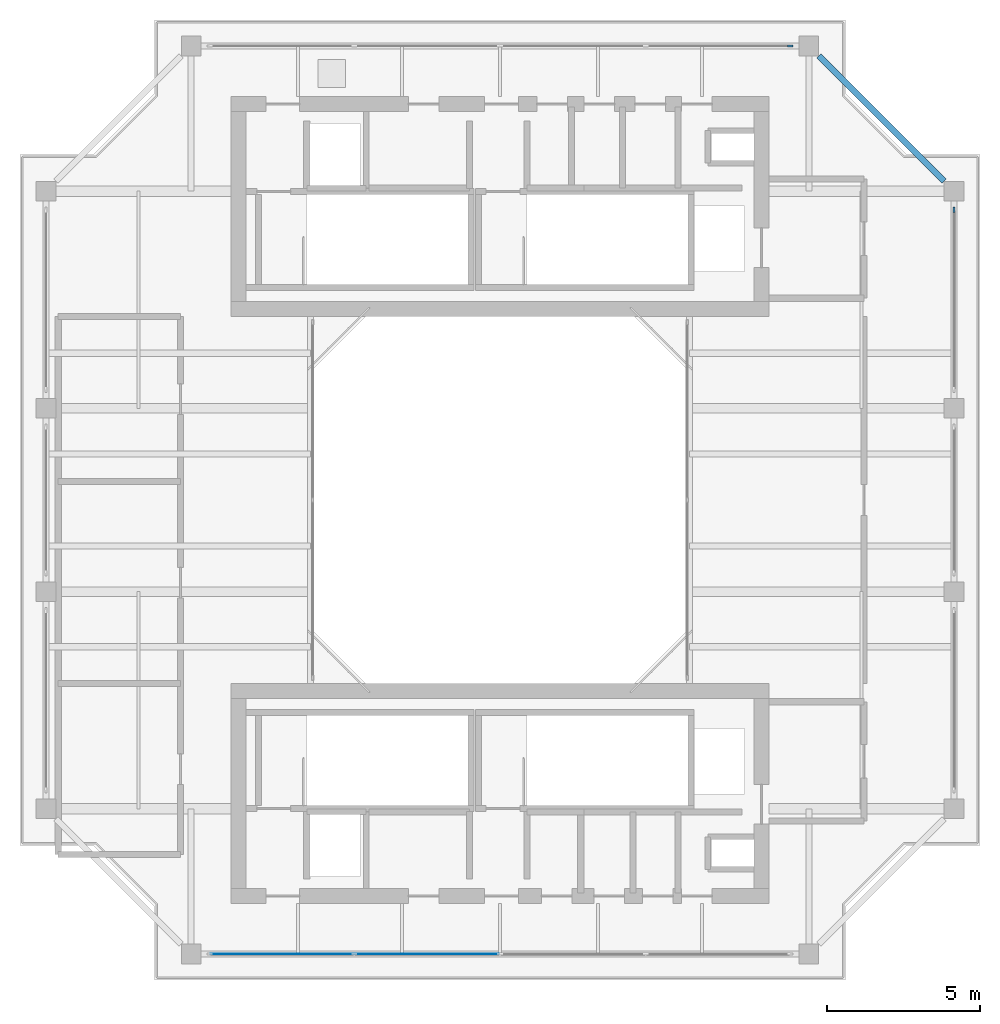
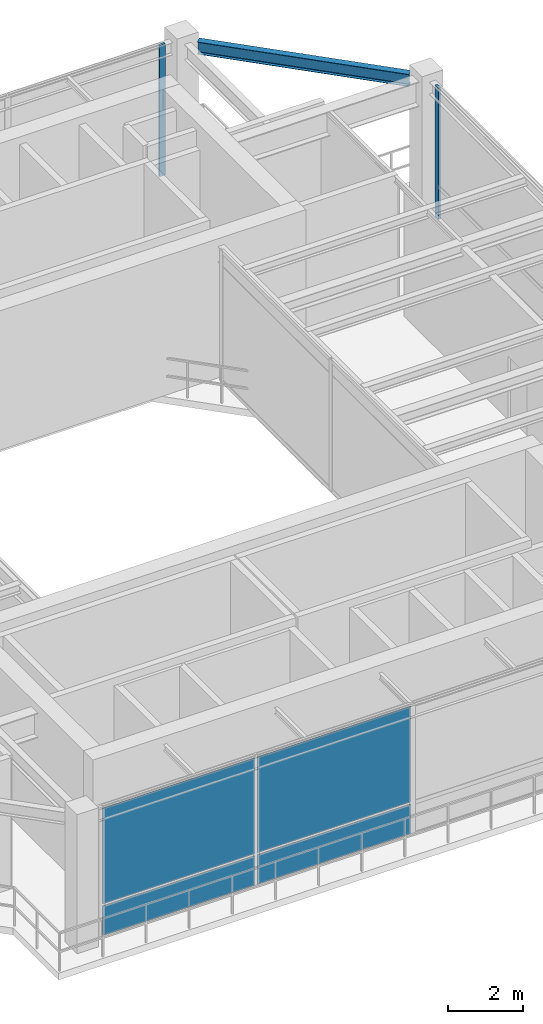
# One storey, part 5 of 9: 4 plates, 2 members, 1 beam, 3 elements without a shape of their own.
"""IFC4 building model written with IfcOpenShell, lengths in metres."""

from ifc_helpers import new_model, si_unit, direction, frame, origin, origin_2d, place, context, subcontext, project, spatial, rectangle, i_section, extrude, source, transform, mapped, material, layer, layer_set, material_profile, profile_set, type_object, element, aggregate, save


model = new_model("IFC4")

# Units and contexts
model_context = context("Model", 3, precision=1e-05, world=origin(), true_north=direction((0.0, 1.0)))
body_context = subcontext(model_context, "Body", "Model", "MODEL_VIEW")
ifc_project = project(units=[si_unit("LENGTHUNIT", "METRE"), si_unit("AREAUNIT", "SQUARE_METRE"), si_unit("VOLUMEUNIT", "CUBIC_METRE"), si_unit("PLANEANGLEUNIT", "RADIAN"), si_unit("MASSUNIT", "GRAM", prefix="KILO"), si_unit("THERMODYNAMICTEMPERATUREUNIT", "KELVIN"), si_unit("POWERUNIT", "WATT")], contexts=[model_context])

# Site, building, storey
site_placement = place(None, origin())
site = spatial("IfcSite", under=ifc_project, at=site_placement, CompositionType="ELEMENT")
building_placement = place(site_placement, origin())
building = spatial("IfcBuilding", under=site, at=building_placement, Name="Qiaomeng Ring Towers", CompositionType="ELEMENT")
storey_placement = place(building_placement, frame((0.0, 0.0, 263.25)))
storey = spatial("IfcBuildingStorey", under=building, at=storey_placement, Name="L77", CompositionType="ELEMENT", Elevation=263.25)

# Beam
ifc_material_1 = material(Name="Steel Q355B", Category="steel")
ifc_material_profile_1 = material_profile(ifc_material_1, i_section(OverallWidth=0.198974609375, OverallDepth=0.39599609375, WebThickness=0.007080078125, FlangeThickness=0.010986328125, FilletRadius=0.01611328125, at=origin_2d()), Name="HN 396x199x7x11")
ifc_profile_set_1 = profile_set([ifc_material_profile_1], Name="Steel Q355B")
beam_type = type_object("IfcBeamType", Name="STR-BM-HN396", PredefinedType="SPANDREL", material=ifc_profile_set_1)
shared_shape_1 = source(origin(), body_context, "Body", "SweptSolid", [
    extrude(i_section(OverallWidth=0.198974609375, OverallDepth=0.39599609375, WebThickness=0.007080078125, FlangeThickness=0.010986328125, FilletRadius=0.01611328125, at=origin_2d()), origin(), (0.0, 0.0, 1.0), 5.800048828125),
])
beam_placement = place(storey_placement, frame((33.525634765625, 33.42431640625, 4.052001953125), z_axis=(-0.707106781187, 0.707106781187, 0.0), x_axis=(-0.707106781187, -0.707106781187, 0.0)))
element("IfcBeam", 1, at=beam_placement, inside=storey, type_object=beam_type, Name="L77 beam STR-SP-L77-T1-E4-N2", PredefinedType="SPANDREL", context=body_context, shape_type="MappedRepresentation", body=[
    mapped(shared_shape_1, transform((0.0, 0.0, 0.0), x_axis=(1.0, 0.0, 0.0), y_axis=(0.0, 1.0, 0.0), z_axis=(0.0, 0.0, 1.0), scale=1.0)),
])

# Curtain wall, member
ifc_material_2 = material(Name="Fluorocarbon dark-grey aluminium", Category="aluminium")
ifc_layer_1 = layer(ifc_material_2, 0.169921875, Name="Fluorocarbon dark-grey aluminium")
ifc_layer_set_1 = layer_set([ifc_layer_1], Name="Fluorocarbon dark-grey aluminium")
curtain_wall_type = type_object("IfcCurtainWallType", Name="ARC-CW-6", PredefinedType="NOTDEFINED", material=ifc_layer_set_1)
curtain_wall_1_placement = place(storey_placement, origin())
curtain_wall_1 = element("IfcCurtainWall", 2, at=curtain_wall_1_placement, inside=storey, type_object=curtain_wall_type, Name="L77 Curtain Wall CW6", PredefinedType="NOTDEFINED")
ifc_material_profile_2 = material_profile(ifc_material_2, rectangle(XDim=0.070068359375, YDim=0.179931640625, at=origin_2d()), Name="ALU MULL 70x180")
ifc_profile_set_2 = profile_set([ifc_material_profile_2], Name="Fluorocarbon dark-grey aluminium")
member_type = type_object("IfcMemberType", Name="ARC-CWM-160", PredefinedType="MULLION", material=ifc_profile_set_2)
shared_shape_2 = source(origin(), body_context, "Body", "SweptSolid", [
    extrude(rectangle(XDim=0.070068359375, YDim=0.179931640625, at=origin_2d()), origin(), (0.0, 0.0, 1.0), 4.25),
])
member_1_placement = place(storey_placement, frame((28.5, 37.85009765625, 0.0), z_axis=(0.0, 0.0, 1.0), x_axis=(0.0, -1.0, 0.0)))
member_1 = element("IfcMember", 3, at=member_1_placement, type_object=member_type, Name="CW6 mullion 1", PredefinedType="MULLION", context=body_context, shape_type="MappedRepresentation", body=[
    mapped(shared_shape_2, transform((0.0, 0.0, 0.0), x_axis=(1.0, 0.0, 0.0), y_axis=(0.0, 1.0, 0.0), z_axis=(0.0, 0.0, 1.0), scale=1.0)),
])
aggregate(curtain_wall_1, [member_1])

curtain_wall_2_placement = place(storey_placement, origin())
curtain_wall_2 = element("IfcCurtainWall", 4, at=curtain_wall_2_placement, inside=storey, type_object=curtain_wall_type, Name="L77 Curtain Wall CW6", PredefinedType="NOTDEFINED")
member_2_placement = place(storey_placement, frame((33.85009765625, 32.5, 0.0), z_axis=(0.0, 0.0, 1.0), x_axis=(-1.0, 0.0, 0.0)))
member_2 = element("IfcMember", 5, at=member_2_placement, type_object=member_type, Name="CW6 mullion 2", PredefinedType="MULLION", context=body_context, shape_type="MappedRepresentation", body=[
    mapped(shared_shape_2, transform((0.0, 0.0, 0.0), x_axis=(1.0, 0.0, 0.0), y_axis=(0.0, 1.0, 0.0), z_axis=(0.0, 0.0, 1.0), scale=1.0)),
])
aggregate(curtain_wall_2, [member_2])

# Curtain wall, plates
curtain_wall_3_placement = place(storey_placement, origin())
curtain_wall_3 = element("IfcCurtainWall", 6, at=curtain_wall_3_placement, inside=storey, type_object=curtain_wall_type, Name="L77 Curtain Wall CW6", PredefinedType="NOTDEFINED")
ifc_material_3 = material(Name="Low-E dark-grey laminated double glazing", Category="glass")
ifc_layer_2 = layer(ifc_material_3, 0.028076171875, Name="Low-E dark-grey laminated double glazing")
ifc_layer_set_2 = layer_set([ifc_layer_2], Name="Low-E dark-grey laminated double glazing")
plate_type = type_object("IfcPlateType", Name="ARC-CWP-DARK", PredefinedType="CURTAIN_PANEL", material=ifc_layer_set_2)
shared_shape_3 = source(origin(), body_context, "Body", "SweptSolid", [
    extrude(rectangle(XDim=4.66259765625, YDim=0.028076171875, at=origin_2d()), origin(), (0.0, 0.0, 1.0), 0.952392578125),
])
plate_1_placement = place(storey_placement, frame((11.8662109375, 8.14990234375, 0.06494140625), z_axis=(0.0, 0.0, 1.0), x_axis=(1.0, 0.0, 0.0)))
plate_1 = element("IfcPlate", 7, at=plate_1_placement, type_object=plate_type, Name="CW6 panel 1.1", PredefinedType="CURTAIN_PANEL", context=body_context, shape_type="MappedRepresentation", body=[
    mapped(shared_shape_3, transform((0.0, 0.0, 0.0), x_axis=(1.0, 0.0, 0.0), y_axis=(0.0, 1.0, 0.0), z_axis=(0.0, 0.0, 1.0), scale=1.0)),
])
shared_shape_4 = source(origin(), body_context, "Body", "SweptSolid", [
    extrude(rectangle(XDim=4.66259765625, YDim=0.028076171875, at=origin_2d()), origin(), (0.0, 0.0, 1.0), 3.1025390625),
])
plate_2_placement = place(storey_placement, frame((11.8662109375, 8.14990234375, 1.08251953125), z_axis=(0.0, 0.0, 1.0), x_axis=(1.0, 0.0, 0.0)))
plate_2 = element("IfcPlate", 8, at=plate_2_placement, type_object=plate_type, Name="CW6 panel 1.2", PredefinedType="CURTAIN_PANEL", context=body_context, shape_type="MappedRepresentation", body=[
    mapped(shared_shape_4, transform((0.0, 0.0, 0.0), x_axis=(1.0, 0.0, 0.0), y_axis=(0.0, 1.0, 0.0), z_axis=(0.0, 0.0, 1.0), scale=1.0)),
])
shared_shape_5 = source(origin(), body_context, "Body", "SweptSolid", [
    extrude(rectangle(XDim=4.697509765625, YDim=0.028076171875, at=origin_2d()), origin(), (0.0, 0.0, 1.0), 0.952392578125),
])
plate_3_placement = place(storey_placement, frame((16.6162109375, 8.14990234375, 0.06494140625), z_axis=(0.0, 0.0, 1.0), x_axis=(1.0, 0.0, 0.0)))
plate_3 = element("IfcPlate", 9, at=plate_3_placement, type_object=plate_type, Name="CW6 panel 2.1", PredefinedType="CURTAIN_PANEL", context=body_context, shape_type="MappedRepresentation", body=[
    mapped(shared_shape_5, transform((0.0, 0.0, 0.0), x_axis=(1.0, 0.0, 0.0), y_axis=(0.0, 1.0, 0.0), z_axis=(0.0, 0.0, 1.0), scale=1.0)),
])
shared_shape_6 = source(origin(), body_context, "Body", "SweptSolid", [
    extrude(rectangle(XDim=4.697509765625, YDim=0.028076171875, at=origin_2d()), origin(), (0.0, 0.0, 1.0), 3.1025390625),
])
plate_4_placement = place(storey_placement, frame((16.6162109375, 8.14990234375, 1.08251953125), z_axis=(0.0, 0.0, 1.0), x_axis=(1.0, 0.0, 0.0)))
plate_4 = element("IfcPlate", 10, at=plate_4_placement, type_object=plate_type, Name="CW6 panel 2.2", PredefinedType="CURTAIN_PANEL", context=body_context, shape_type="MappedRepresentation", body=[
    mapped(shared_shape_6, transform((0.0, 0.0, 0.0), x_axis=(1.0, 0.0, 0.0), y_axis=(0.0, 1.0, 0.0), z_axis=(0.0, 0.0, 1.0), scale=1.0)),
])
aggregate(curtain_wall_3, [plate_1, plate_2, plate_3, plate_4])

save(model, "model.ifc")
